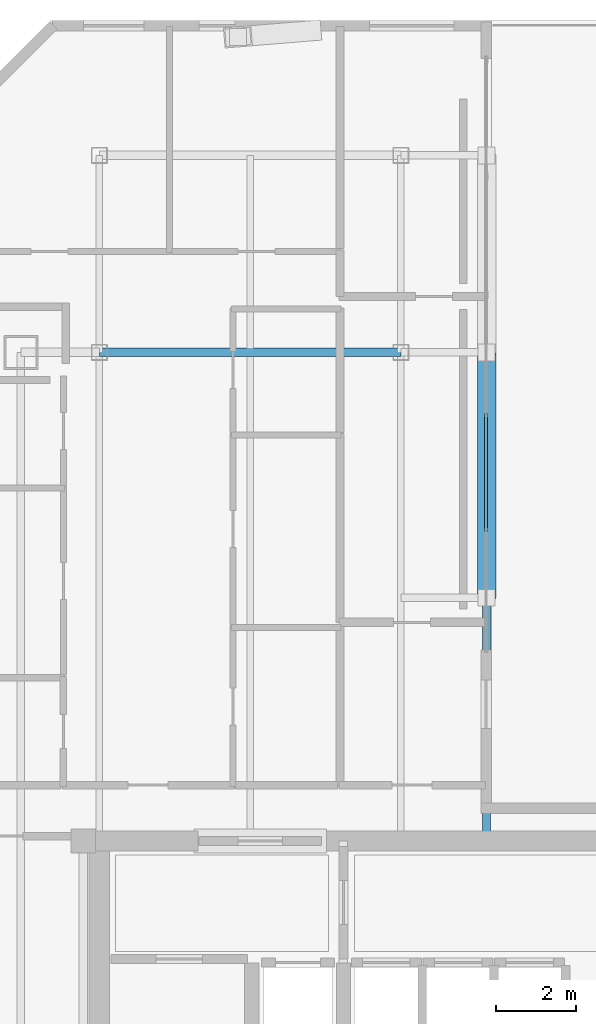
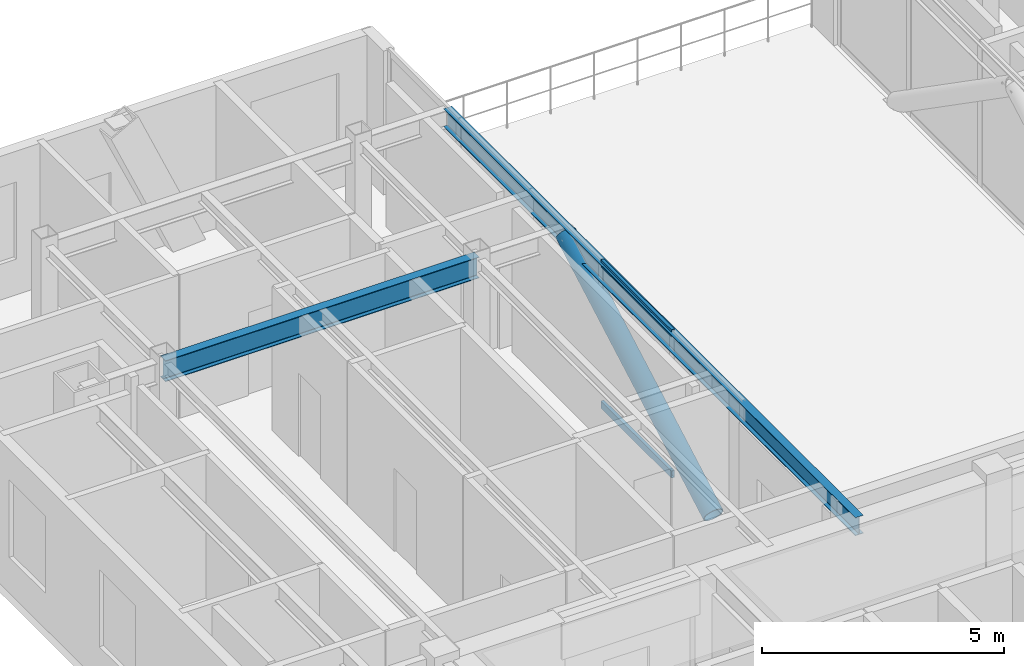
# One storey, part 3 of 14: 3 members, 2 beams, 1 element without a shape of its own.
"""IFC4 building model written with IfcOpenShell, lengths in metres."""

from ifc_helpers import new_model, si_unit, direction, frame, origin, origin_2d, place, context, subcontext, project, spatial, hollow_rectangle, hollow_circle, i_section, extrude, material, material_profile, profile_set, type_object, element, aggregate, save


model = new_model("IFC4")

# Units and contexts
model_context = context("Model", 3, precision=1e-05, world=origin(), true_north=direction((0.0, 1.0)))
body_context = subcontext(model_context, "Body", "Model", "MODEL_VIEW")
ifc_project = project(units=[si_unit("LENGTHUNIT", "METRE"), si_unit("AREAUNIT", "SQUARE_METRE"), si_unit("VOLUMEUNIT", "CUBIC_METRE"), si_unit("PLANEANGLEUNIT", "RADIAN"), si_unit("MASSUNIT", "GRAM", prefix="KILO")], contexts=[model_context])

# Site, building, storey
site_placement = place(None, origin())
site = spatial("IfcSite", under=ifc_project, at=site_placement, CompositionType="ELEMENT")
building_placement = place(site_placement, origin())
building = spatial("IfcBuilding", under=site, at=building_placement, Name="Ventersveld Concourse Tower", CompositionType="ELEMENT")
storey_placement = place(building_placement, frame((0.0, 0.0, 337.5)))
storey = spatial("IfcBuildingStorey", under=building, at=storey_placement, Name="L83", CompositionType="ELEMENT", Elevation=337.5)

# Curtain wall, members
ifc_material_1 = material(Name="Anodised aluminium EN AW-6063-T6", Category="aluminium")
curtain_wall_type = type_object("IfcCurtainWallType", Name="CW-WP-5", PredefinedType="NOTDEFINED", material=ifc_material_1)
curtain_wall_placement = place(storey_placement, origin())
curtain_wall = element("IfcCurtainWall", 1, at=curtain_wall_placement, inside=storey, type_object=curtain_wall_type, Name="L83 L83 Wind Portal Aerodynamic Cheek Curtain Wall", PredefinedType="NOTDEFINED")
ifc_material_profile_1 = material_profile(ifc_material_1, hollow_rectangle(XDim=0.074951171875, YDim=0.179931640625, WallThickness=0.00390625, at=origin_2d()), Name="ALU 180x75x4")
ifc_profile_set_1 = profile_set([ifc_material_profile_1], Name="Anodised aluminium EN AW-6063-T6")
member_type_1 = type_object("IfcMemberType", Name="CWT-180x75", PredefinedType="USERDEFINED", material=ifc_profile_set_1)
member_1_placement = place(storey_placement, frame((23.3701171875, 19.15283203125, 0.030029296875), z_axis=(0.0, 1.0, 0.0), x_axis=(-1.0, 0.0, 0.0)))
member_1 = element("IfcMember", 2, at=member_1_placement, type_object=member_type_1, Name="CW-L83-WP-W Transom 1-02", ObjectType="TRANSOM", PredefinedType="USERDEFINED", context=body_context, shape_type="SweptSolid", body=[
    extrude(hollow_rectangle(XDim=0.074951171875, YDim=0.179931640625, WallThickness=0.00390625, at=origin_2d()), origin(), (0.0, 0.0, 1.0), 2.922607421875),
])
member_2_placement = place(storey_placement, frame((23.3701171875, 19.15283203125, 3.60009765625), z_axis=(0.0, 1.0, 0.0), x_axis=(-1.0, 0.0, 0.0)))
member_2 = element("IfcMember", 3, at=member_2_placement, type_object=member_type_1, Name="CW-L83-WP-W Transom 2-02", ObjectType="TRANSOM", PredefinedType="USERDEFINED", context=body_context, shape_type="SweptSolid", body=[
    extrude(hollow_rectangle(XDim=0.074951171875, YDim=0.179931640625, WallThickness=0.00390625, at=origin_2d()), origin(), (0.0, 0.0, 1.0), 2.922607421875),
])
aggregate(curtain_wall, [member_1, member_2])

# Beams
ifc_material_2 = material(Name="Structural steel S355J2", Category="steel")
ifc_material_profile_2 = material_profile(ifc_material_2, i_section(OverallWidth=0.209228515625, OverallDepth=0.533203125, WebThickness=0.010009765625, FlangeThickness=0.015625, FilletRadius=0.0126953125, at=origin_2d()), Name="UB 533x210x92")
ifc_profile_set_2 = profile_set([ifc_material_profile_2], Name="Structural steel S355J2")
beam_type_1 = type_object("IfcBeamType", Name="GRD-UB533", PredefinedType="T_BEAM", material=ifc_profile_set_2)
beam_1_placement = place(storey_placement, frame((13.75, 23.60009765625, 3.363525390625), z_axis=(1.0, 0.0, 0.0), x_axis=(0.0, 1.0, 0.0)))
element("IfcBeam", 4, at=beam_1_placement, inside=storey, type_object=beam_type_1, Name="L83 Primary E-W Grid Girder Y=23.60 #2", PredefinedType="T_BEAM", context=body_context, shape_type="SweptSolid", body=[
    extrude(i_section(OverallWidth=0.209228515625, OverallDepth=0.533203125, WebThickness=0.010009765625, FlangeThickness=0.015625, FilletRadius=0.0126953125, at=origin_2d()), origin(), (0.0, 0.0, 1.0), 7.5),
])
ifc_material_profile_3 = material_profile(ifc_material_2, i_section(OverallWidth=0.19140625, OverallDepth=0.4599609375, WebThickness=0.010009765625, FlangeThickness=0.01611328125, FilletRadius=0.01025390625, at=origin_2d()), Name="UB 457x191x82")
ifc_profile_set_3 = profile_set([ifc_material_profile_3], Name="Structural steel S355J2")
beam_type_2 = type_object("IfcBeamType", Name="SPD-UB457", PredefinedType="SPANDREL", material=ifc_profile_set_3)
beam_2_placement = place(storey_placement, frame((23.3798828125, 11.449951171875, 3.39990234375), z_axis=(0.0, 1.0, 0.0), x_axis=(-1.0, 0.0, 0.0)))
element("IfcBeam", 5, at=beam_2_placement, inside=storey, type_object=beam_type_2, Name="L83 Wind Portal West Edge Spandrel", PredefinedType="SPANDREL", context=body_context, shape_type="SweptSolid", body=[
    extrude(i_section(OverallWidth=0.19140625, OverallDepth=0.4599609375, WebThickness=0.010009765625, FlangeThickness=0.01611328125, FilletRadius=0.01025390625, at=origin_2d()), origin(), (0.0, 0.0, 1.0), 17.050048828125),
])

# Member
ifc_material_3 = material(Name="Structural steel S355ML", Category="steel")
ifc_material_profile_4 = material_profile(ifc_material_3, hollow_circle(Radius=0.228515625, WallThickness=0.02001953125, at=origin_2d()), Name="CHS 457x20")
ifc_profile_set_4 = profile_set([ifc_material_profile_4], Name="Structural steel S355ML")
member_type_2 = type_object("IfcMemberType", Name="STR-WP-457", PredefinedType="STRUT", material=ifc_profile_set_4)
member_3_placement = place(storey_placement, frame((23.3798828125, 17.5, 0.0), z_axis=(0.0, 0.872880467892, 0.4879341029), x_axis=(-1.0, 0.0, 0.0)))
element("IfcMember", 6, at=member_3_placement, inside=storey, type_object=member_type_2, Name="L83 Wind Portal Edge Brace Strut W1", PredefinedType="STRUT", context=body_context, shape_type="SweptSolid", body=[
    extrude(hollow_circle(Radius=0.228515625, WallThickness=0.02001953125, at=origin_2d()), origin(), (0.0, 0.0, 1.0), 6.988525390625),
])

save(model, "model.ifc")
